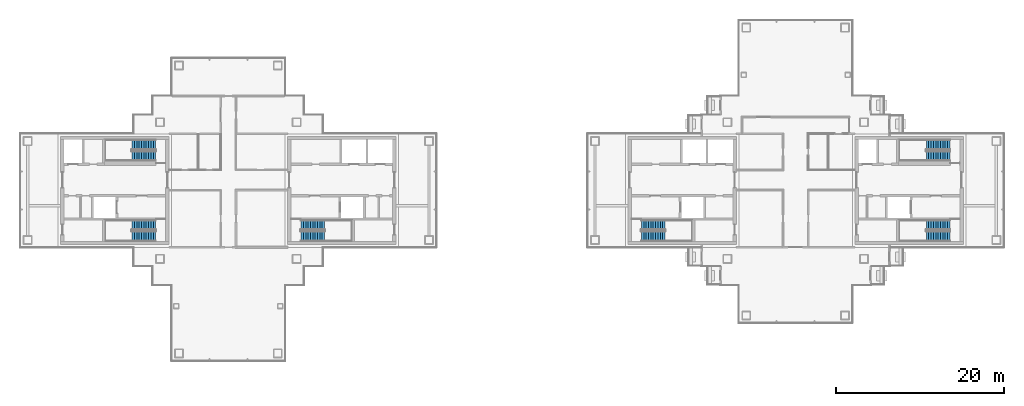
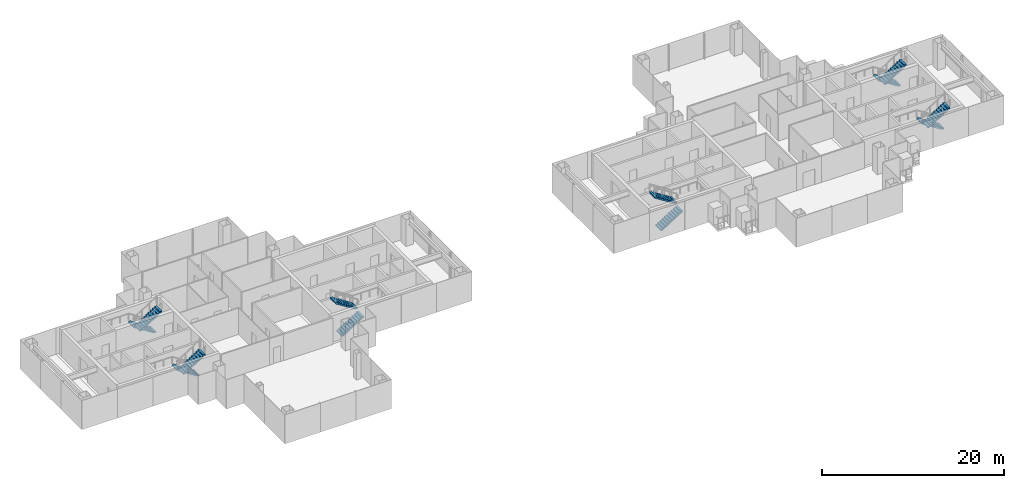
# One storey, part 13 of 16: 12 stair flights, 6 elements without a shape of their own.
"""IFC4 building model written with IfcOpenShell, lengths in metres."""

from ifc_helpers import new_model, si_unit, direction, frame, origin, place, context, subcontext, project, spatial, polyline, outline, extrude, material, type_object, element, aggregate, save


model = new_model("IFC4")

# Units and contexts
model_context = context("Model", 3, precision=1e-05, world=origin(), true_north=direction((0.0, 1.0)))
body_context = subcontext(model_context, "Body", "Model", "MODEL_VIEW")
ifc_project = project(units=[si_unit("LENGTHUNIT", "METRE"), si_unit("AREAUNIT", "SQUARE_METRE"), si_unit("VOLUMEUNIT", "CUBIC_METRE"), si_unit("PLANEANGLEUNIT", "RADIAN"), si_unit("MASSUNIT", "GRAM", prefix="KILO")], contexts=[model_context])

# Site, building, storey
site_placement = place(None, origin())
site = spatial("IfcSite", under=ifc_project, at=site_placement, CompositionType="ELEMENT")
building_placement = place(site_placement, origin())
building = spatial("IfcBuilding", under=site, at=building_placement, Name="Shamsa Quay Exchange Towers", CompositionType="ELEMENT")
storey_placement = place(building_placement, frame((0.0, 0.0, 210.0)))
storey = spatial("IfcBuildingStorey", under=building, at=storey_placement, Name="L50", CompositionType="ELEMENT", Elevation=210.0)

# Stair, stair flights
ifc_material = material(Name="Concrete C40/50", Category="concrete")
stair_type = type_object("IfcStairType", Name="EXIT STAIR 22 RISERS 177 MM", PredefinedType="HALF_TURN_STAIR", material=ifc_material)
stair_1_placement = place(storey_placement, origin())
stair_1 = element("IfcStair", 1, at=stair_1_placement, inside=storey, type_object=stair_type, Name="L50 Exit stair ST1", PredefinedType="HALF_TURN_STAIR")
stair_flight_type = type_object("IfcStairFlightType", Name="EXIT STAIR FLIGHT 11 RISERS 177 MM", PredefinedType="STRAIGHT", material=ifc_material)
stair_flight_1_placement = place(storey_placement, frame((-25.10009765625, -5.449951171875, 0.0)))
stair_flight_1 = element("IfcStairFlight", 2, at=stair_flight_1_placement, type_object=stair_flight_type, Name="ST1 flight 1", NumberOfRisers=11, NumberOfTreads=10, PredefinedType="STRAIGHT", RiserHeight=0.177272727, TreadLength=0.28, context=body_context, shape_type="SweptSolid", body=[
    extrude(outline(polyline([(0.0, 0.0), (0.0, 0.17724609375), (0.280029296875, 0.17724609375), (0.280029296875, 0.3544921875), (0.56005859375, 0.3544921875), (0.56005859375, 0.53173828125), (0.840087890625, 0.53173828125), (0.840087890625, 0.708984375), (1.1201171875, 0.708984375), (1.1201171875, 0.886474609375), (1.39990234375, 0.886474609375), (1.39990234375, 1.063720703125), (1.679931640625, 1.063720703125), (1.679931640625, 1.240966796875), (1.9599609375, 1.240966796875), (1.9599609375, 1.418212890625), (2.239990234375, 1.418212890625), (2.239990234375, 1.595458984375), (2.52001953125, 1.595458984375), (2.52001953125, 1.772705078125), (2.800048828125, 1.772705078125), (2.800048828125, 1.949951171875), (2.800048828125, 1.607177734375), (0.261474609375, 0.0), (0.0, 0.0)])), frame((0.0, 0.60009765625, 0.0), z_axis=(0.0, -1.0, 0.0), x_axis=(1.0, 0.0, 0.0)), (0.0, 0.0, 1.0), 1.199951171875),
])
stair_flight_2_placement = place(storey_placement, frame((-22.300048828125, -4.10009765625, 1.949951171875), z_axis=(0.0, 0.0, 1.0), x_axis=(-1.0, 0.0, 0.0)))
stair_flight_2 = element("IfcStairFlight", 3, at=stair_flight_2_placement, type_object=stair_flight_type, Name="ST1 flight 2", NumberOfRisers=11, NumberOfTreads=10, PredefinedType="STRAIGHT", RiserHeight=0.177272727, TreadLength=0.28, context=body_context, shape_type="SweptSolid", body=[
    extrude(outline(polyline([(0.0, 0.0), (0.0, 0.17724609375), (0.280029296875, 0.17724609375), (0.280029296875, 0.3544921875), (0.56005859375, 0.3544921875), (0.56005859375, 0.53173828125), (0.840087890625, 0.53173828125), (0.840087890625, 0.708984375), (1.1201171875, 0.708984375), (1.1201171875, 0.886474609375), (1.39990234375, 0.886474609375), (1.39990234375, 1.063720703125), (1.679931640625, 1.063720703125), (1.679931640625, 1.240966796875), (1.9599609375, 1.240966796875), (1.9599609375, 1.418212890625), (2.239990234375, 1.418212890625), (2.239990234375, 1.595458984375), (2.52001953125, 1.595458984375), (2.52001953125, 1.772705078125), (2.800048828125, 1.772705078125), (2.800048828125, 1.949951171875), (2.800048828125, 1.607177734375), (0.261474609375, 0.0), (0.0, 0.0)])), frame((0.0, 0.60009765625, 0.0), z_axis=(0.0, -1.0, 0.0), x_axis=(1.0, 0.0, 0.0)), (0.0, 0.0, 1.0), 1.199951171875),
])
aggregate(stair_1, [stair_flight_1, stair_flight_2])

stair_2_placement = place(storey_placement, origin())
stair_2 = element("IfcStair", 4, at=stair_2_placement, inside=storey, type_object=stair_type, Name="L50 Exit stair ST2", PredefinedType="HALF_TURN_STAIR")
stair_flight_3_placement = place(storey_placement, frame((-42.39990234375, -4.10009765625, 0.0), z_axis=(0.0, 0.0, 1.0), x_axis=(-1.0, 0.0, 0.0)))
stair_flight_3 = element("IfcStairFlight", 5, at=stair_flight_3_placement, type_object=stair_flight_type, Name="ST2 flight 1", NumberOfRisers=11, NumberOfTreads=10, PredefinedType="STRAIGHT", RiserHeight=0.177272727, TreadLength=0.28, context=body_context, shape_type="SweptSolid", body=[
    extrude(outline(polyline([(0.0, 0.0), (0.0, 0.17724609375), (0.280029296875, 0.17724609375), (0.280029296875, 0.3544921875), (0.56005859375, 0.3544921875), (0.56005859375, 0.53173828125), (0.840087890625, 0.53173828125), (0.840087890625, 0.708984375), (1.1201171875, 0.708984375), (1.1201171875, 0.886474609375), (1.39990234375, 0.886474609375), (1.39990234375, 1.063720703125), (1.679931640625, 1.063720703125), (1.679931640625, 1.240966796875), (1.9599609375, 1.240966796875), (1.9599609375, 1.418212890625), (2.239990234375, 1.418212890625), (2.239990234375, 1.595458984375), (2.52001953125, 1.595458984375), (2.52001953125, 1.772705078125), (2.800048828125, 1.772705078125), (2.800048828125, 1.949951171875), (2.800048828125, 1.607177734375), (0.261474609375, 0.0), (0.0, 0.0)])), frame((0.0, 0.60009765625, 0.0), z_axis=(0.0, -1.0, 0.0), x_axis=(1.0, 0.0, 0.0)), (0.0, 0.0, 1.0), 1.199951171875),
])
stair_flight_4_placement = place(storey_placement, frame((-45.199951171875, -5.449951171875, 1.949951171875)))
stair_flight_4 = element("IfcStairFlight", 6, at=stair_flight_4_placement, type_object=stair_flight_type, Name="ST2 flight 2", NumberOfRisers=11, NumberOfTreads=10, PredefinedType="STRAIGHT", RiserHeight=0.177272727, TreadLength=0.28, context=body_context, shape_type="SweptSolid", body=[
    extrude(outline(polyline([(0.0, 0.0), (0.0, 0.17724609375), (0.280029296875, 0.17724609375), (0.280029296875, 0.3544921875), (0.56005859375, 0.3544921875), (0.56005859375, 0.53173828125), (0.840087890625, 0.53173828125), (0.840087890625, 0.708984375), (1.1201171875, 0.708984375), (1.1201171875, 0.886474609375), (1.39990234375, 0.886474609375), (1.39990234375, 1.063720703125), (1.679931640625, 1.063720703125), (1.679931640625, 1.240966796875), (1.9599609375, 1.240966796875), (1.9599609375, 1.418212890625), (2.239990234375, 1.418212890625), (2.239990234375, 1.595458984375), (2.52001953125, 1.595458984375), (2.52001953125, 1.772705078125), (2.800048828125, 1.772705078125), (2.800048828125, 1.949951171875), (2.800048828125, 1.607177734375), (0.261474609375, 0.0), (0.0, 0.0)])), frame((0.0, 0.60009765625, 0.0), z_axis=(0.0, -1.0, 0.0), x_axis=(1.0, 0.0, 0.0)), (0.0, 0.0, 1.0), 1.199951171875),
])
aggregate(stair_2, [stair_flight_3, stair_flight_4])

stair_3_placement = place(storey_placement, origin())
stair_3 = element("IfcStair", 7, at=stair_3_placement, inside=storey, type_object=stair_type, Name="L50 Exit stair ST3", PredefinedType="HALF_TURN_STAIR")
stair_flight_5_placement = place(storey_placement, frame((-42.39990234375, 5.449951171875, 0.0), z_axis=(0.0, 0.0, 1.0), x_axis=(-1.0, 0.0, 0.0)))
stair_flight_5 = element("IfcStairFlight", 8, at=stair_flight_5_placement, type_object=stair_flight_type, Name="ST3 flight 1", NumberOfRisers=11, NumberOfTreads=10, PredefinedType="STRAIGHT", RiserHeight=0.177272727, TreadLength=0.28, context=body_context, shape_type="SweptSolid", body=[
    extrude(outline(polyline([(0.0, 0.0), (0.0, 0.17724609375), (0.280029296875, 0.17724609375), (0.280029296875, 0.3544921875), (0.56005859375, 0.3544921875), (0.56005859375, 0.53173828125), (0.840087890625, 0.53173828125), (0.840087890625, 0.708984375), (1.1201171875, 0.708984375), (1.1201171875, 0.886474609375), (1.39990234375, 0.886474609375), (1.39990234375, 1.063720703125), (1.679931640625, 1.063720703125), (1.679931640625, 1.240966796875), (1.9599609375, 1.240966796875), (1.9599609375, 1.418212890625), (2.239990234375, 1.418212890625), (2.239990234375, 1.595458984375), (2.52001953125, 1.595458984375), (2.52001953125, 1.772705078125), (2.800048828125, 1.772705078125), (2.800048828125, 1.949951171875), (2.800048828125, 1.607177734375), (0.261474609375, 0.0), (0.0, 0.0)])), frame((0.0, 0.60009765625, 0.0), z_axis=(0.0, -1.0, 0.0), x_axis=(1.0, 0.0, 0.0)), (0.0, 0.0, 1.0), 1.199951171875),
])
stair_flight_6_placement = place(storey_placement, frame((-45.199951171875, 4.10009765625, 1.949951171875)))
stair_flight_6 = element("IfcStairFlight", 9, at=stair_flight_6_placement, type_object=stair_flight_type, Name="ST3 flight 2", NumberOfRisers=11, NumberOfTreads=10, PredefinedType="STRAIGHT", RiserHeight=0.177272727, TreadLength=0.28, context=body_context, shape_type="SweptSolid", body=[
    extrude(outline(polyline([(0.0, 0.0), (0.0, 0.17724609375), (0.280029296875, 0.17724609375), (0.280029296875, 0.3544921875), (0.56005859375, 0.3544921875), (0.56005859375, 0.53173828125), (0.840087890625, 0.53173828125), (0.840087890625, 0.708984375), (1.1201171875, 0.708984375), (1.1201171875, 0.886474609375), (1.39990234375, 0.886474609375), (1.39990234375, 1.063720703125), (1.679931640625, 1.063720703125), (1.679931640625, 1.240966796875), (1.9599609375, 1.240966796875), (1.9599609375, 1.418212890625), (2.239990234375, 1.418212890625), (2.239990234375, 1.595458984375), (2.52001953125, 1.595458984375), (2.52001953125, 1.772705078125), (2.800048828125, 1.772705078125), (2.800048828125, 1.949951171875), (2.800048828125, 1.607177734375), (0.261474609375, 0.0), (0.0, 0.0)])), frame((0.0, 0.60009765625, 0.0), z_axis=(0.0, -1.0, 0.0), x_axis=(1.0, 0.0, 0.0)), (0.0, 0.0, 1.0), 1.199951171875),
])
aggregate(stair_3, [stair_flight_5, stair_flight_6])

stair_4_placement = place(storey_placement, origin())
stair_4 = element("IfcStair", 10, at=stair_4_placement, inside=storey, type_object=stair_type, Name="L50 Exit stair ST4", PredefinedType="HALF_TURN_STAIR")
stair_flight_7_placement = place(storey_placement, frame((15.39990234375, -5.449951171875, 0.0)))
stair_flight_7 = element("IfcStairFlight", 11, at=stair_flight_7_placement, type_object=stair_flight_type, Name="ST4 flight 1", NumberOfRisers=11, NumberOfTreads=10, PredefinedType="STRAIGHT", RiserHeight=0.177272727, TreadLength=0.28, context=body_context, shape_type="SweptSolid", body=[
    extrude(outline(polyline([(0.0, 0.0), (0.0, 0.17724609375), (0.280029296875, 0.17724609375), (0.280029296875, 0.3544921875), (0.56005859375, 0.3544921875), (0.56005859375, 0.53173828125), (0.840087890625, 0.53173828125), (0.840087890625, 0.708984375), (1.1201171875, 0.708984375), (1.1201171875, 0.886474609375), (1.39990234375, 0.886474609375), (1.39990234375, 1.063720703125), (1.679931640625, 1.063720703125), (1.679931640625, 1.240966796875), (1.9599609375, 1.240966796875), (1.9599609375, 1.418212890625), (2.239990234375, 1.418212890625), (2.239990234375, 1.595458984375), (2.52001953125, 1.595458984375), (2.52001953125, 1.772705078125), (2.800048828125, 1.772705078125), (2.800048828125, 1.949951171875), (2.800048828125, 1.607177734375), (0.261474609375, 0.0), (0.0, 0.0)])), frame((0.0, 0.60009765625, 0.0), z_axis=(0.0, -1.0, 0.0), x_axis=(1.0, 0.0, 0.0)), (0.0, 0.0, 1.0), 1.199951171875),
])
stair_flight_8_placement = place(storey_placement, frame((18.199951171875, -4.10009765625, 1.949951171875), z_axis=(0.0, 0.0, 1.0), x_axis=(-1.0, 0.0, 0.0)))
stair_flight_8 = element("IfcStairFlight", 12, at=stair_flight_8_placement, type_object=stair_flight_type, Name="ST4 flight 2", NumberOfRisers=11, NumberOfTreads=10, PredefinedType="STRAIGHT", RiserHeight=0.177272727, TreadLength=0.28, context=body_context, shape_type="SweptSolid", body=[
    extrude(outline(polyline([(0.0, 0.0), (0.0, 0.17724609375), (0.280029296875, 0.17724609375), (0.280029296875, 0.3544921875), (0.56005859375, 0.3544921875), (0.56005859375, 0.53173828125), (0.840087890625, 0.53173828125), (0.840087890625, 0.708984375), (1.1201171875, 0.708984375), (1.1201171875, 0.886474609375), (1.39990234375, 0.886474609375), (1.39990234375, 1.063720703125), (1.679931640625, 1.063720703125), (1.679931640625, 1.240966796875), (1.9599609375, 1.240966796875), (1.9599609375, 1.418212890625), (2.239990234375, 1.418212890625), (2.239990234375, 1.595458984375), (2.52001953125, 1.595458984375), (2.52001953125, 1.772705078125), (2.800048828125, 1.772705078125), (2.800048828125, 1.949951171875), (2.800048828125, 1.607177734375), (0.261474609375, 0.0), (0.0, 0.0)])), frame((0.0, 0.60009765625, 0.0), z_axis=(0.0, -1.0, 0.0), x_axis=(1.0, 0.0, 0.0)), (0.0, 0.0, 1.0), 1.199951171875),
])
aggregate(stair_4, [stair_flight_7, stair_flight_8])

stair_5_placement = place(storey_placement, origin())
stair_5 = element("IfcStair", 13, at=stair_5_placement, inside=storey, type_object=stair_type, Name="L50 Exit stair ST5", PredefinedType="HALF_TURN_STAIR")
stair_flight_9_placement = place(storey_placement, frame((52.10009765625, -4.10009765625, 0.0), z_axis=(0.0, 0.0, 1.0), x_axis=(-1.0, 0.0, 0.0)))
stair_flight_9 = element("IfcStairFlight", 14, at=stair_flight_9_placement, type_object=stair_flight_type, Name="ST5 flight 1", NumberOfRisers=11, NumberOfTreads=10, PredefinedType="STRAIGHT", RiserHeight=0.177272727, TreadLength=0.28, context=body_context, shape_type="SweptSolid", body=[
    extrude(outline(polyline([(0.0, 0.0), (0.0, 0.17724609375), (0.280029296875, 0.17724609375), (0.280029296875, 0.3544921875), (0.56005859375, 0.3544921875), (0.56005859375, 0.53173828125), (0.840087890625, 0.53173828125), (0.840087890625, 0.708984375), (1.1201171875, 0.708984375), (1.1201171875, 0.886474609375), (1.39990234375, 0.886474609375), (1.39990234375, 1.063720703125), (1.679931640625, 1.063720703125), (1.679931640625, 1.240966796875), (1.9599609375, 1.240966796875), (1.9599609375, 1.418212890625), (2.239990234375, 1.418212890625), (2.239990234375, 1.595458984375), (2.52001953125, 1.595458984375), (2.52001953125, 1.772705078125), (2.800048828125, 1.772705078125), (2.800048828125, 1.949951171875), (2.800048828125, 1.607177734375), (0.261474609375, 0.0), (0.0, 0.0)])), frame((0.0, 0.60009765625, 0.0), z_axis=(0.0, -1.0, 0.0), x_axis=(1.0, 0.0, 0.0)), (0.0, 0.0, 1.0), 1.199951171875),
])
stair_flight_10_placement = place(storey_placement, frame((49.300048828125, -5.449951171875, 1.949951171875)))
stair_flight_10 = element("IfcStairFlight", 15, at=stair_flight_10_placement, type_object=stair_flight_type, Name="ST5 flight 2", NumberOfRisers=11, NumberOfTreads=10, PredefinedType="STRAIGHT", RiserHeight=0.177272727, TreadLength=0.28, context=body_context, shape_type="SweptSolid", body=[
    extrude(outline(polyline([(0.0, 0.0), (0.0, 0.17724609375), (0.280029296875, 0.17724609375), (0.280029296875, 0.3544921875), (0.56005859375, 0.3544921875), (0.56005859375, 0.53173828125), (0.840087890625, 0.53173828125), (0.840087890625, 0.708984375), (1.1201171875, 0.708984375), (1.1201171875, 0.886474609375), (1.39990234375, 0.886474609375), (1.39990234375, 1.063720703125), (1.679931640625, 1.063720703125), (1.679931640625, 1.240966796875), (1.9599609375, 1.240966796875), (1.9599609375, 1.418212890625), (2.239990234375, 1.418212890625), (2.239990234375, 1.595458984375), (2.52001953125, 1.595458984375), (2.52001953125, 1.772705078125), (2.800048828125, 1.772705078125), (2.800048828125, 1.949951171875), (2.800048828125, 1.607177734375), (0.261474609375, 0.0), (0.0, 0.0)])), frame((0.0, 0.60009765625, 0.0), z_axis=(0.0, -1.0, 0.0), x_axis=(1.0, 0.0, 0.0)), (0.0, 0.0, 1.0), 1.199951171875),
])
aggregate(stair_5, [stair_flight_9, stair_flight_10])

stair_6_placement = place(storey_placement, origin())
stair_6 = element("IfcStair", 16, at=stair_6_placement, inside=storey, type_object=stair_type, Name="L50 Exit stair ST6", PredefinedType="HALF_TURN_STAIR")
stair_flight_11_placement = place(storey_placement, frame((52.10009765625, 5.449951171875, 0.0), z_axis=(0.0, 0.0, 1.0), x_axis=(-1.0, 0.0, 0.0)))
stair_flight_11 = element("IfcStairFlight", 17, at=stair_flight_11_placement, type_object=stair_flight_type, Name="ST6 flight 1", NumberOfRisers=11, NumberOfTreads=10, PredefinedType="STRAIGHT", RiserHeight=0.177272727, TreadLength=0.28, context=body_context, shape_type="SweptSolid", body=[
    extrude(outline(polyline([(0.0, 0.0), (0.0, 0.17724609375), (0.280029296875, 0.17724609375), (0.280029296875, 0.3544921875), (0.56005859375, 0.3544921875), (0.56005859375, 0.53173828125), (0.840087890625, 0.53173828125), (0.840087890625, 0.708984375), (1.1201171875, 0.708984375), (1.1201171875, 0.886474609375), (1.39990234375, 0.886474609375), (1.39990234375, 1.063720703125), (1.679931640625, 1.063720703125), (1.679931640625, 1.240966796875), (1.9599609375, 1.240966796875), (1.9599609375, 1.418212890625), (2.239990234375, 1.418212890625), (2.239990234375, 1.595458984375), (2.52001953125, 1.595458984375), (2.52001953125, 1.772705078125), (2.800048828125, 1.772705078125), (2.800048828125, 1.949951171875), (2.800048828125, 1.607177734375), (0.261474609375, 0.0), (0.0, 0.0)])), frame((0.0, 0.60009765625, 0.0), z_axis=(0.0, -1.0, 0.0), x_axis=(1.0, 0.0, 0.0)), (0.0, 0.0, 1.0), 1.199951171875),
])
stair_flight_12_placement = place(storey_placement, frame((49.300048828125, 4.10009765625, 1.949951171875)))
stair_flight_12 = element("IfcStairFlight", 18, at=stair_flight_12_placement, type_object=stair_flight_type, Name="ST6 flight 2", NumberOfRisers=11, NumberOfTreads=10, PredefinedType="STRAIGHT", RiserHeight=0.177272727, TreadLength=0.28, context=body_context, shape_type="SweptSolid", body=[
    extrude(outline(polyline([(0.0, 0.0), (0.0, 0.17724609375), (0.280029296875, 0.17724609375), (0.280029296875, 0.3544921875), (0.56005859375, 0.3544921875), (0.56005859375, 0.53173828125), (0.840087890625, 0.53173828125), (0.840087890625, 0.708984375), (1.1201171875, 0.708984375), (1.1201171875, 0.886474609375), (1.39990234375, 0.886474609375), (1.39990234375, 1.063720703125), (1.679931640625, 1.063720703125), (1.679931640625, 1.240966796875), (1.9599609375, 1.240966796875), (1.9599609375, 1.418212890625), (2.239990234375, 1.418212890625), (2.239990234375, 1.595458984375), (2.52001953125, 1.595458984375), (2.52001953125, 1.772705078125), (2.800048828125, 1.772705078125), (2.800048828125, 1.949951171875), (2.800048828125, 1.607177734375), (0.261474609375, 0.0), (0.0, 0.0)])), frame((0.0, 0.60009765625, 0.0), z_axis=(0.0, -1.0, 0.0), x_axis=(1.0, 0.0, 0.0)), (0.0, 0.0, 1.0), 1.199951171875),
])
aggregate(stair_6, [stair_flight_11, stair_flight_12])

save(model, "model.ifc")
